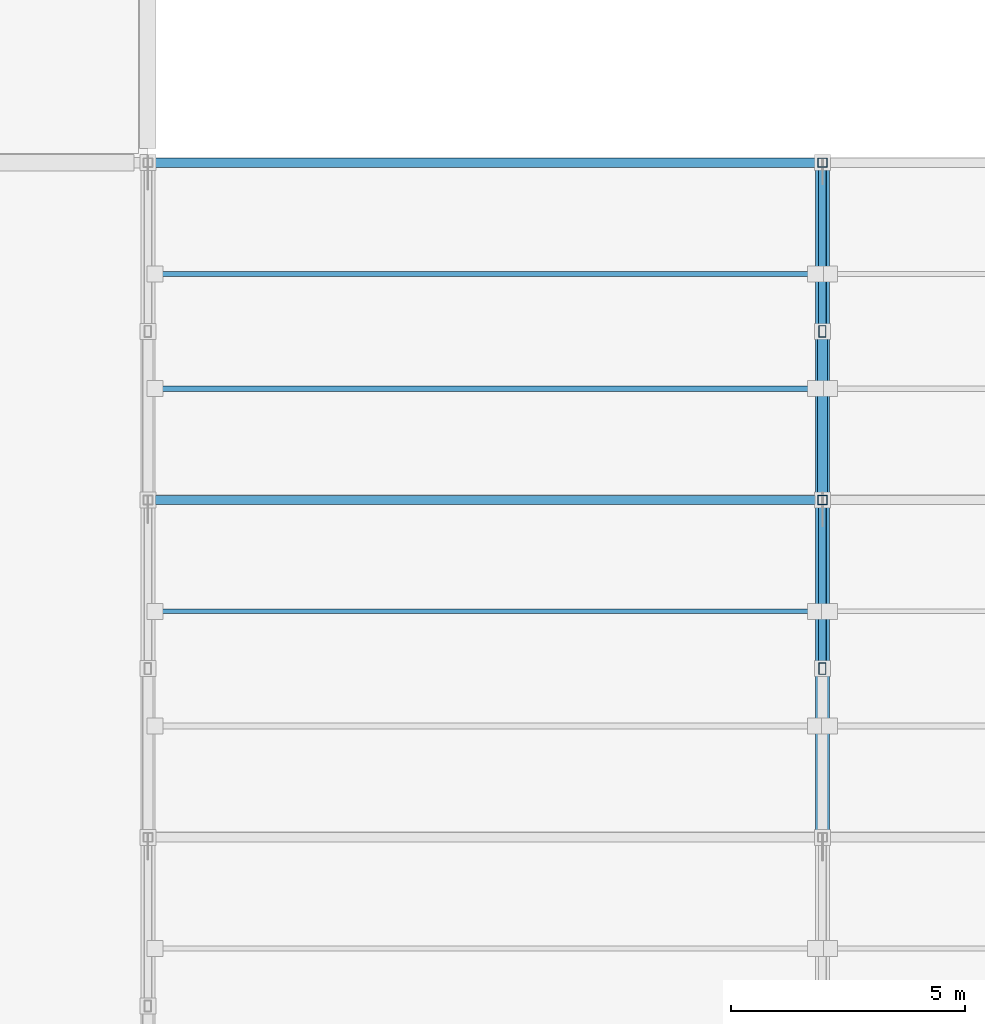
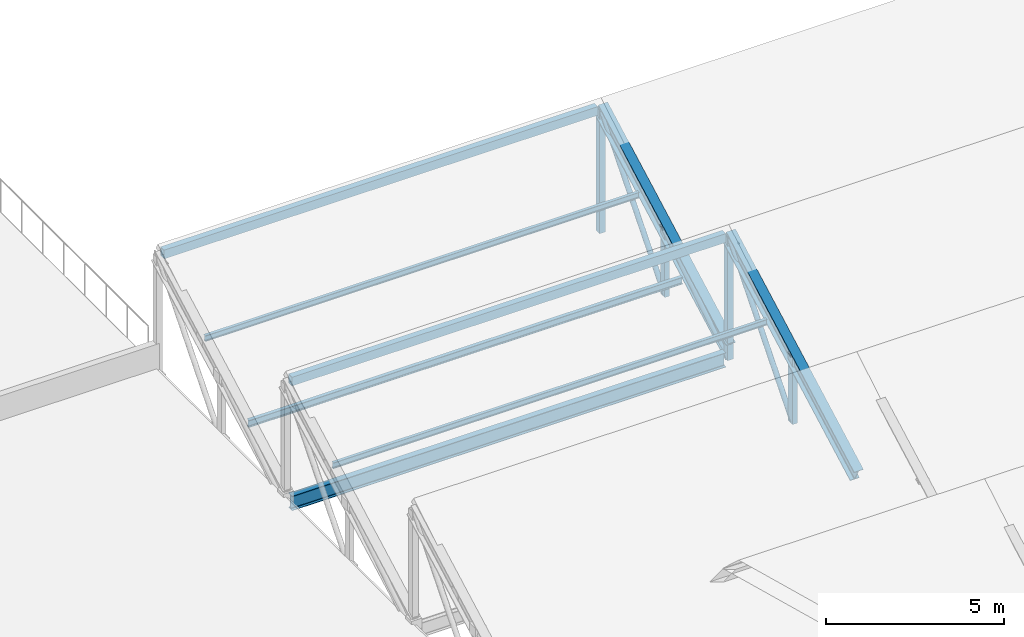
# One storey, part 12 of 51: 14 members, 1 beam.
"""IFC4 building model written with IfcOpenShell, lengths in metres."""

import ifcopenshell
import ifcopenshell.guid

model = None  # the IFC model being written
_history = None  # IfcOwnerHistory: only IFC2X3 demands one
_inside = {}  # id of a spatial element -> (the spatial element, [elements in it])
_under = {}  # id of a project, library or spatial element -> (it, [spatial elements below it])
_declared = {}  # id of a project -> (the project, [libraries it declares])
_typed = {}  # id of a type object -> (the type object, [elements of that type])
_made_of = {}  # id of a material, layer set ... -> (it, [elements and type objects made of it])


def new_model(schema):
    """Start an empty IFC model of exactly this schema.

    Asked for "IFC4X3", IfcOpenShell would pick the latest addendum, in which some entities
    have other attributes; the version numbers below select the first issue.
    IFC2X3 requires an IfcOwnerHistory on every rooted entity: one is made here for all.
    """
    global model, _history
    if schema == "IFC4X3":
        model = ifcopenshell.file(schema_version=(4, 3, 0, 0))
    else:
        model = ifcopenshell.file(schema=schema)
    _inside.clear()
    _under.clear()
    _declared.clear()
    _typed.clear()
    _made_of.clear()
    _history = None
    if model.schema == "IFC2X3":
        org = make("IfcOrganization", Name="unknown")
        user = make(
            "IfcPersonAndOrganization",
            ThePerson=make("IfcPerson", FamilyName="unknown"),
            TheOrganization=org,
        )
        app = make(
            "IfcApplication",
            ApplicationDeveloper=org,
            Version="unknown",
            ApplicationFullName="unknown",
            ApplicationIdentifier="unknown",
        )
        _history = make(
            "IfcOwnerHistory",
            OwningUser=user,
            OwningApplication=app,
            ChangeAction="ADDED",
            CreationDate=0,
        )
    return model


def make(cls, **values):
    """One entity of the class cls with the attributes given. An attribute that is None is left unset."""
    return model.create_entity(
        cls, **{name: value for name, value in values.items() if value is not None}
    )


def rooted(cls, **values):
    """An entity with a GlobalId (a new one), such as an element, a storey or a relation."""
    return make(cls, GlobalId=ifcopenshell.guid.new(), OwnerHistory=_history, **values)


def si_unit(unit_type, name, prefix=None):
    """IfcSIUnit, for example si_unit("LENGTHUNIT", "METRE", prefix="MILLI")."""
    return make("IfcSIUnit", UnitType=unit_type, Prefix=prefix, Name=name)


def assignment(units):
    """IfcUnitAssignment: the units of a project."""
    return None if units is None else make("IfcUnitAssignment", Units=units)


def point(xyz):
    """IfcCartesianPoint."""
    return None if xyz is None else make("IfcCartesianPoint", Coordinates=xyz)


def direction(xyz):
    """IfcDirection."""
    return None if xyz is None else make("IfcDirection", DirectionRatios=xyz)


def frame(location, z_axis=None, x_axis=None):
    """IfcAxis2Placement3D, a coordinate frame: its origin and axes. An axis left out is left unset."""
    return make(
        "IfcAxis2Placement3D",
        Location=point(location),
        Axis=direction(z_axis),
        RefDirection=direction(x_axis),
    )


def frame_2d(location, x_axis=None):
    """IfcAxis2Placement2D, a coordinate frame in the plane: its origin and x axis."""
    return make(
        "IfcAxis2Placement2D", Location=point(location), RefDirection=direction(x_axis)
    )


def origin():
    """The frame at (0, 0, 0) with its axes left unset."""
    return frame((0.0, 0.0, 0.0))


def origin_2d():
    """The frame at (0, 0) in the plane with its x axis left unset."""
    return frame_2d((0.0, 0.0))


def place(relative_to, where):
    """IfcLocalPlacement: puts the frame where relative to a parent placement (None: the world)."""
    return make(
        "IfcLocalPlacement", PlacementRelTo=relative_to, RelativePlacement=where
    )


def context(
    kind, dimensions, precision=None, world=None, true_north=None, identifier=None
):
    """IfcGeometricRepresentationContext, for example the 3D "Model" context."""
    return make(
        "IfcGeometricRepresentationContext",
        ContextIdentifier=identifier,
        ContextType=kind,
        CoordinateSpaceDimension=dimensions,
        Precision=precision,
        WorldCoordinateSystem=world,
        TrueNorth=true_north,
    )


def subcontext(parent, identifier, kind, view, scale=None):
    """IfcGeometricRepresentationSubContext, for example "Body" below "Model"."""
    return make(
        "IfcGeometricRepresentationSubContext",
        ContextIdentifier=identifier,
        ContextType=kind,
        ParentContext=parent,
        TargetScale=scale,
        TargetView=view,
    )


def project(units=None, contexts=None):
    """IfcProject with its units and contexts."""
    return rooted(
        "IfcProject",
        Name="project",
        RepresentationContexts=contexts,
        UnitsInContext=assignment(units),
    )


def spatial(cls, under=None, at=None, **own):
    """A site, building, storey or space (cls), placed at a placement, below another one or the project."""
    s = rooted(cls, ObjectPlacement=at, **own)
    if under is not None:
        _under.setdefault(under.id(), (under, []))[1].append(s)
    return s


def profile(cls, at=None, kind="AREA", **sizes):
    """A parametric profile (cls). Its sizes go by their IFC names, for example OverallWidth=200.0."""
    return make(cls, ProfileType=kind, Position=at, **sizes)


def hollow_rectangle(**sizes):
    """IfcRectangleHollowProfileDef."""
    return profile("IfcRectangleHollowProfileDef", **sizes)


def hollow_circle(**sizes):
    """IfcCircleHollowProfileDef."""
    return profile("IfcCircleHollowProfileDef", **sizes)


def i_section(**sizes):
    """IfcIShapeProfileDef."""
    return profile("IfcIShapeProfileDef", **sizes)


def extrude(swept, where, along, depth):
    """IfcExtrudedAreaSolid: the profile swept, set in the frame where, extruded along a direction by depth."""
    return make(
        "IfcExtrudedAreaSolid",
        SweptArea=swept,
        Position=where,
        ExtrudedDirection=direction(along),
        Depth=depth,
    )


def shape(context_of_items, identifier, shape_type, items):
    """IfcShapeRepresentation: the items that make up one representation, for example the "Body"."""
    return make(
        "IfcShapeRepresentation",
        ContextOfItems=context_of_items,
        RepresentationIdentifier=identifier,
        RepresentationType=shape_type,
        Items=items,
    )


def material(Name=None, Category=None):
    """IfcMaterial."""
    return make("IfcMaterial", Name=Name, Category=Category)


def material_profile(
    of_material, cross_section, Name=None, Category=None, Priority=None
):
    """IfcMaterialProfile: a cross section and its material."""
    return make(
        "IfcMaterialProfile",
        Name=Name,
        Material=of_material,
        Profile=cross_section,
        Priority=Priority,
        Category=Category,
    )


def profile_set(profiles, Name=None, composite=None):
    """IfcMaterialProfileSet."""
    return make(
        "IfcMaterialProfileSet",
        Name=Name,
        MaterialProfiles=profiles,
        CompositeProfile=composite,
    )


def made_of(thing, what):
    """Note that an element or type object is made of a material, layer set ...; save() writes the relation."""
    if what is not None:
        _made_of.setdefault(what.id(), (what, []))[1].append(thing)
    return thing


def type_object(cls, material=None, **own):
    """A type object (cls), such as IfcWallType, which elements share."""
    return made_of(rooted(cls, **own), material)


def element(
    cls,
    number,
    at=None,
    inside=None,
    cuts=None,
    type_object=None,
    material=None,
    context=None,
    identifier="Body",
    shape_type=None,
    held_by="IfcProductDefinitionShape",
    body=None,
    shapes=None,
    **own,
):
    """One element of the class cls, such as IfcWall. Its Tag is "e" and its number.

    at: its placement. inside: the storey or other place that contains it. cuts: it is an
    opening in that element (IfcRelVoidsElement). A single representation is given by context,
    identifier, shape_type and body (its items); several are given by shapes. held_by: the class
    of the entity that holds the representations. save() writes the other relations.
    """
    e = rooted(cls, Tag="e%d" % number, ObjectPlacement=at, **own)
    if body is not None:
        shapes = [shape(context, identifier, shape_type, body)]
    if shapes is not None:
        e.Representation = make(held_by, Representations=shapes)
    if inside is not None:
        _inside.setdefault(inside.id(), (inside, []))[1].append(e)
    if cuts is not None:
        rooted(
            "IfcRelVoidsElement", RelatingBuildingElement=cuts, RelatedOpeningElement=e
        )
    if type_object is not None:
        _typed.setdefault(type_object.id(), (type_object, []))[1].append(e)
    return made_of(e, material)


def aggregate(whole, parts):
    """IfcRelAggregates: a whole, such as a stair, and the parts it consists of."""
    return rooted("IfcRelAggregates", RelatingObject=whole, RelatedObjects=parts)


def save(model, path):
    """Write the relations noted so far, then the file.

    IfcRelAggregates (storeys below a building ...), IfcRelContainedInSpatialStructure (elements
    in a storey), IfcRelDefinesByType, IfcRelAssociatesMaterial and IfcRelDeclares: one each for
    every whole, place, type object, material and project.
    """
    for whole, parts in _under.values():
        aggregate(whole, parts)
    for where, things in _inside.values():
        rooted(
            "IfcRelContainedInSpatialStructure",
            RelatedElements=things,
            RelatingStructure=where,
        )
    for kind, things in _typed.values():
        rooted("IfcRelDefinesByType", RelatedObjects=things, RelatingType=kind)
    for what, things in _made_of.values():
        rooted("IfcRelAssociatesMaterial", RelatedObjects=things, RelatingMaterial=what)
    for by, libraries in _declared.values():
        rooted("IfcRelDeclares", RelatingContext=by, RelatedDefinitions=libraries)
    model.write(path)


model = new_model("IFC4")

# Units and contexts
model_context = context("Model", 3, precision=1e-05, world=origin(), true_north=direction((0.0, 1.0)))
body_context = subcontext(model_context, "Body", "Model", "MODEL_VIEW")
ifc_project = project(units=[si_unit("LENGTHUNIT", "METRE"), si_unit("AREAUNIT", "SQUARE_METRE"), si_unit("VOLUMEUNIT", "CUBIC_METRE"), si_unit("PLANEANGLEUNIT", "RADIAN"), si_unit("MASSUNIT", "GRAM", prefix="KILO")], contexts=[model_context])

# Site, building, storey
site_placement = place(None, origin())
site = spatial("IfcSite", under=ifc_project, at=site_placement, CompositionType="ELEMENT")
building_placement = place(site_placement, origin())
building = spatial("IfcBuilding", under=site, at=building_placement, Name="Valkovuoma Quantum and Materials Research Institute", CompositionType="ELEMENT")
storey_placement = place(building_placement, frame((0.0, 0.0, 17.280029296875)))
storey = spatial("IfcBuildingStorey", under=building, at=storey_placement, Name="L04", CompositionType="ELEMENT", Elevation=17.280029296875)

# Beam
ifc_material_1 = material(Name="Steel S355J2", Category="steel")
ifc_material_profile_1 = material_profile(ifc_material_1, i_section(OverallWidth=0.199951171875, OverallDepth=0.5, WebThickness=0.01025390625, FlangeThickness=0.01611328125, FilletRadius=0.02099609375, at=origin_2d()), Name="Steel S355J2")
ifc_profile_set_1 = profile_set([ifc_material_profile_1], Name="Steel S355J2")
beam_type = type_object("IfcBeamType", Name="Beam-B-IPE500", PredefinedType="BEAM", material=ifc_profile_set_1)
beam_placement = place(storey_placement, frame((43.35009765625, 57.60009765625, -0.300048828125), z_axis=(1.0, 0.0, 0.0), x_axis=(0.0, 1.0, 0.0)))
element("IfcBeam", 1, at=beam_placement, inside=storey, type_object=beam_type, Name="L04 VOL2 valley beam 4.1", PredefinedType="BEAM", context=body_context, shape_type="SweptSolid", body=[
    extrude(i_section(OverallWidth=0.199951171875, OverallDepth=0.5, WebThickness=0.01025390625, FlangeThickness=0.01611328125, FilletRadius=0.02099609375, at=origin_2d()), origin(), (0.0, 0.0, 1.0), 14.099853515625),
])

# Members
ifc_material_2 = material(Name="Steel S355J2H", Category="steel")
ifc_material_profile_2 = material_profile(ifc_material_2, hollow_circle(Radius=0.084228515625, WallThickness=0.008056640625, at=origin_2d()), Name="Steel S355J2H")
ifc_profile_set_2 = profile_set([ifc_material_profile_2], Name="Steel S355J2H")
member_type_1 = type_object("IfcMemberType", Name="Mem-M-BRC168", PredefinedType="BRACE", material=ifc_profile_set_2)
for number, where, z_axis, x_axis, name in (
    (2, (57.60009765625, 54.0, -0.35009765625), (0.0, 0.647241890385, 0.762284681291), (-1.0, 0.0, 0.0), "L04 VOL2 sawtooth web brace 2.3B"),
    (3, (57.60009765625, 61.199951171875, -0.35009765625), (0.0, 0.647241890385, 0.762284681291), (-1.0, 0.0, 0.0), "L04 VOL2 sawtooth web brace 2.4B"),
):
    element("IfcMember", number, at=place(storey_placement, frame(where, z_axis=z_axis, x_axis=x_axis)), inside=storey, type_object=member_type_1, Name=name, PredefinedType="BRACE", context=body_context, shape_type="SweptSolid", body=[
        extrude(hollow_circle(Radius=0.084228515625, WallThickness=0.008056640625, at=origin_2d()), origin(), (0.0, 0.0, 1.0), 5.562255859375),
    ])
ifc_material_3 = material(Name="Steel S355J2H", Category="steel")
ifc_material_profile_3 = material_profile(ifc_material_3, hollow_circle(Radius=0.109619140625, WallThickness=0.010009765625, at=origin_2d()), Name="Steel S355J2H")
ifc_profile_set_3 = profile_set([ifc_material_profile_3], Name="Steel S355J2H")
member_type_2 = type_object("IfcMemberType", Name="Mem-M-BRC219", PredefinedType="BRACE", material=ifc_profile_set_3)
member_1_placement = place(storey_placement, frame((57.60009765625, 57.60009765625, -0.35009765625), z_axis=(0.0, 0.843199655679, 0.53760054005), x_axis=(-1.0, 0.0, 0.0)))
element("IfcMember", 4, at=member_1_placement, inside=storey, type_object=member_type_2, Name="L04 VOL2 sawtooth web brace 2.4A", PredefinedType="BRACE", context=body_context, shape_type="SweptSolid", body=[
    extrude(hollow_circle(Radius=0.109619140625, WallThickness=0.010009765625, at=origin_2d()), origin(), (0.0, 0.0, 1.0), 4.269287109375),
])
ifc_material_4 = material(Name="Steel S355J2H", Category="steel")
ifc_material_profile_4 = material_profile(ifc_material_4, hollow_rectangle(XDim=0.199951171875, YDim=0.300048828125, WallThickness=0.012451171875, at=origin_2d()), Name="Steel S355J2H")
ifc_profile_set_4 = profile_set([ifc_material_profile_4], Name="Steel S355J2H")
member_type_3 = type_object("IfcMemberType", Name="Mem-M-CHD300", PredefinedType="CHORD", material=ifc_profile_set_4)
for number, where, z_axis, x_axis, name in (
    (5, (43.35009765625, 57.60009765625, 3.889892578125), (1.0, 0.0, 0.0), (0.0, 1.0, 0.0), "L04 VOL2 ridge chord 3.1"),
    (6, (43.35009765625, 64.800048828125, 3.889892578125), (1.0, 0.0, 0.0), (0.0, 1.0, 0.0), "L04 VOL2 ridge chord 4.1"),
):
    element("IfcMember", number, at=place(storey_placement, frame(where, z_axis=z_axis, x_axis=x_axis)), inside=storey, type_object=member_type_3, Name=name, PredefinedType="CHORD", context=body_context, shape_type="SweptSolid", body=[
        extrude(hollow_rectangle(XDim=0.199951171875, YDim=0.300048828125, WallThickness=0.012451171875, at=origin_2d()), origin(), (0.0, 0.0, 1.0), 14.099853515625),
    ])
ifc_material_5 = material(Name="Steel S355J2", Category="steel")
ifc_material_profile_5 = material_profile(ifc_material_5, i_section(OverallWidth=0.300048828125, OverallDepth=0.5, WebThickness=0.014404296875, FlangeThickness=0.028076171875, FilletRadius=0.027099609375, at=origin_2d()), Name="Steel S355J2")
ifc_profile_set_5 = profile_set([ifc_material_profile_5], Name="Steel S355J2")
member_type_4 = type_object("IfcMemberType", Name="Mem-M-CHD500", PredefinedType="CHORD", material=ifc_profile_set_5)
member_2_placement = place(storey_placement, frame((57.60009765625, 50.39990234375, 0.0), z_axis=(0.0, 0.879814082946, 0.4753179772), x_axis=(-1.0, 0.0, 0.0)))
element("IfcMember", 7, at=member_2_placement, inside=storey, type_object=member_type_4, Name="L04 VOL2 sawtooth top chord 2.3", PredefinedType="CHORD", context=body_context, shape_type="SweptSolid", body=[
    extrude(i_section(OverallWidth=0.300048828125, OverallDepth=0.5, WebThickness=0.014404296875, FlangeThickness=0.028076171875, FilletRadius=0.027099609375, at=origin_2d()), origin(), (0.0, 0.0, 1.0), 8.183837890625),
])
member_3_placement = place(storey_placement, frame((57.60009765625, 57.60009765625, 0.0), z_axis=(0.0, 0.879807342754, 0.475330453091), x_axis=(-1.0, 0.0, 0.0)))
element("IfcMember", 8, at=member_3_placement, inside=storey, type_object=member_type_4, Name="L04 VOL2 sawtooth top chord 2.4", PredefinedType="CHORD", context=body_context, shape_type="SweptSolid", body=[
    extrude(i_section(OverallWidth=0.300048828125, OverallDepth=0.5, WebThickness=0.014404296875, FlangeThickness=0.028076171875, FilletRadius=0.027099609375, at=origin_2d()), origin(), (0.0, 0.0, 1.0), 8.18359375),
])
ifc_material_6 = material(Name="Steel S355J2", Category="steel")
ifc_material_profile_6 = material_profile(ifc_material_6, i_section(OverallWidth=0.10009765625, OverallDepth=0.199951171875, WebThickness=0.005615234375, FlangeThickness=0.008544921875, FilletRadius=0.011962890625, at=origin_2d()), Name="Steel S355J2")
ifc_profile_set_6 = profile_set([ifc_material_profile_6], Name="Steel S355J2")
member_type_5 = type_object("IfcMemberType", Name="Mem-M-PRL200", PredefinedType="PURLIN", material=ifc_profile_set_6)
for number, where, z_axis, x_axis, name in (
    (9, (43.35009765625, 55.22412109375, 2.405517578125), (1.0, 0.0, 0.0), (0.0, 1.0, 0.0), "L04 VOL2 roof purlin 3.1.2"),
    (10, (43.35009765625, 62.424072265625, 2.405517578125), (1.0, 0.0, 0.0), (0.0, 1.0, 0.0), "L04 VOL2 roof purlin 4.1.2"),
):
    element("IfcMember", number, at=place(storey_placement, frame(where, z_axis=z_axis, x_axis=x_axis)), inside=storey, type_object=member_type_5, Name=name, PredefinedType="PURLIN", context=body_context, shape_type="SweptSolid", body=[
        extrude(i_section(OverallWidth=0.10009765625, OverallDepth=0.199951171875, WebThickness=0.005615234375, FlangeThickness=0.008544921875, FilletRadius=0.011962890625, at=origin_2d()), origin(), (0.0, 0.0, 1.0), 14.099853515625),
    ])
ifc_material_7 = material(Name="Steel S355J2", Category="steel")
ifc_material_profile_7 = material_profile(ifc_material_7, i_section(OverallWidth=0.1201171875, OverallDepth=0.239990234375, WebThickness=0.006103515625, FlangeThickness=0.009765625, FilletRadius=0.014892578125, at=origin_2d()), Name="Steel S355J2")
ifc_profile_set_7 = profile_set([ifc_material_profile_7], Name="Steel S355J2")
member_type_6 = type_object("IfcMemberType", Name="Mem-M-PRL240", PredefinedType="PURLIN", material=ifc_profile_set_7)
member_4_placement = place(storey_placement, frame((43.35009765625, 59.97607421875, 0.9638671875), z_axis=(1.0, 0.0, 0.0), x_axis=(0.0, 1.0, 0.0)))
element("IfcMember", 11, at=member_4_placement, inside=storey, type_object=member_type_6, Name="L04 VOL2 roof purlin 4.1.1", PredefinedType="PURLIN", context=body_context, shape_type="SweptSolid", body=[
    extrude(i_section(OverallWidth=0.1201171875, OverallDepth=0.239990234375, WebThickness=0.006103515625, FlangeThickness=0.009765625, FilletRadius=0.014892578125, at=origin_2d()), origin(), (0.0, 0.0, 1.0), 14.099853515625),
])
ifc_material_8 = material(Name="Steel S355J2H", Category="steel")
ifc_material_profile_8 = material_profile(ifc_material_8, hollow_rectangle(XDim=0.199951171875, YDim=0.199951171875, WallThickness=0.010009765625, at=origin_2d()), Name="Steel S355J2H")
ifc_profile_set_8 = profile_set([ifc_material_profile_8], Name="Steel S355J2H")
member_type_7 = type_object("IfcMemberType", Name="Mem-M-STR200", PredefinedType="STRUT", material=ifc_profile_set_8)
for number, where, z_axis, x_axis, name in (
    (12, (57.60009765625, 57.60009765625, -0.35009765625), (0.0, 0.0, 1.0), (1.0, 0.0, 0.0), "L04 VOL2 sawtooth north post 2.3"),
    (13, (57.60009765625, 64.800048828125, -0.35009765625), (0.0, 0.0, 1.0), (1.0, 0.0, 0.0), "L04 VOL2 sawtooth north post 2.4"),
):
    element("IfcMember", number, at=place(storey_placement, frame(where, z_axis=z_axis, x_axis=x_axis)), inside=storey, type_object=member_type_7, Name=name, PredefinedType="STRUT", context=body_context, shape_type="SweptSolid", body=[
        extrude(hollow_rectangle(XDim=0.199951171875, YDim=0.199951171875, WallThickness=0.010009765625, at=origin_2d()), origin(), (0.0, 0.0, 1.0), 4.239990234375),
    ])
ifc_material_9 = material(Name="Steel S355J2H", Category="steel")
ifc_material_profile_9 = material_profile(ifc_material_9, hollow_rectangle(XDim=0.14990234375, YDim=0.25, WallThickness=0.010009765625, at=origin_2d()), Name="Steel S355J2H")
ifc_profile_set_9 = profile_set([ifc_material_profile_9], Name="Steel S355J2H")
member_type_8 = type_object("IfcMemberType", Name="Mem-M-STR250R", PredefinedType="STRUT", material=ifc_profile_set_9)
for number, where, z_axis, x_axis, name in (
    (14, (57.60009765625, 54.0, -0.35009765625), (0.0, 0.0, 1.0), (1.0, 0.0, 0.0), "L04 VOL2 sawtooth mid strut 2.3"),
    (15, (57.60009765625, 61.199951171875, -0.35009765625), (0.0, 0.0, 1.0), (1.0, 0.0, 0.0), "L04 VOL2 sawtooth mid strut 2.4"),
):
    element("IfcMember", number, at=place(storey_placement, frame(where, z_axis=z_axis, x_axis=x_axis)), inside=storey, type_object=member_type_8, Name=name, PredefinedType="STRUT", context=body_context, shape_type="SweptSolid", body=[
        extrude(hollow_rectangle(XDim=0.14990234375, YDim=0.25, WallThickness=0.010009765625, at=origin_2d()), origin(), (0.0, 0.0, 1.0), 2.295166015625),
    ])

save(model, "model.ifc")
